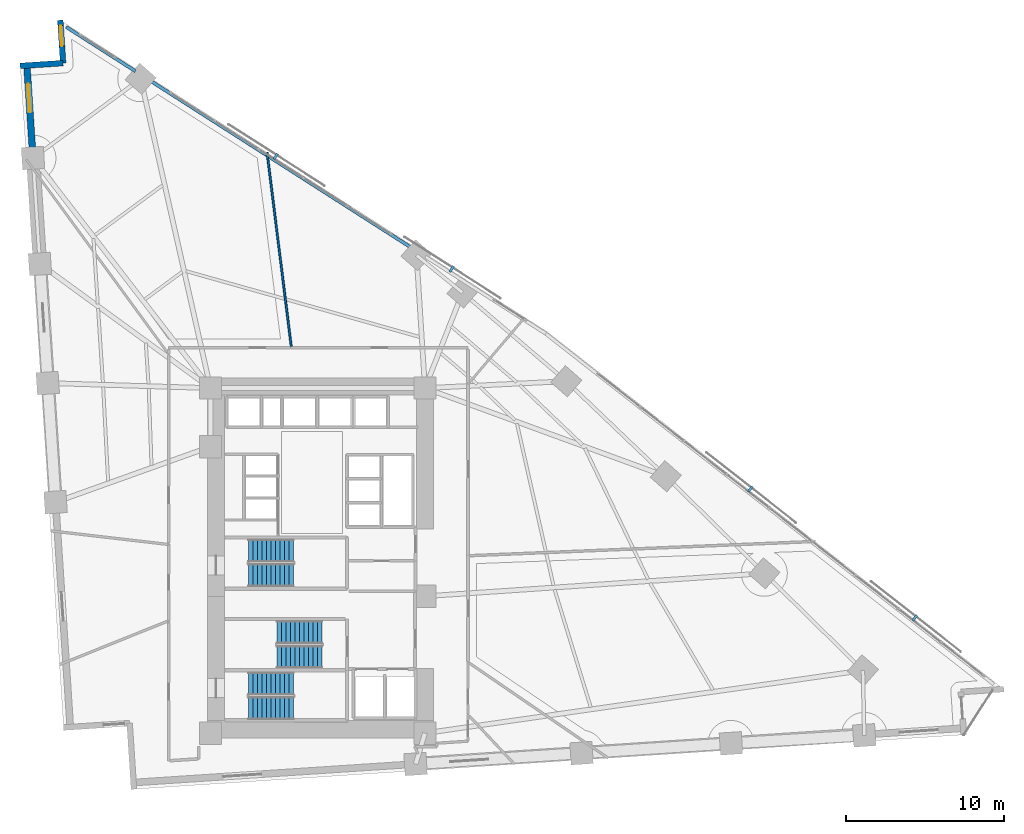
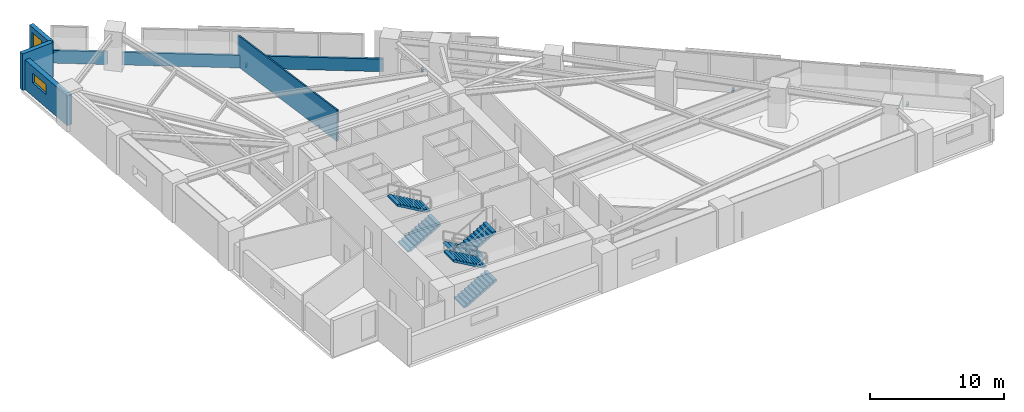
# One storey, part 14 of 16: 6 stair flights, 6 walls, 4 discrete accessories, 2 windows, 2 openings, 3 elements without a shape of their own.
"""IFC4 building model written with IfcOpenShell, lengths in metres."""

from ifc_helpers import new_model, si_unit, direction, frame, frame_2d, origin, origin_2d, place, context, subcontext, project, spatial, polyline, rectangle, outline, extrude, material, layer, layer_set, type_object, element, fill, aggregate, save


model = new_model("IFC4")

# Units and contexts
model_context = context("Model", 3, precision=1e-05, world=origin(), true_north=direction((0.0, 1.0)))
body_context = subcontext(model_context, "Body", "Model", "MODEL_VIEW")
ifc_project = project(units=[si_unit("LENGTHUNIT", "METRE"), si_unit("AREAUNIT", "SQUARE_METRE"), si_unit("VOLUMEUNIT", "CUBIC_METRE"), si_unit("PLANEANGLEUNIT", "RADIAN"), si_unit("MASSUNIT", "GRAM", prefix="KILO")], contexts=[model_context])

# Site, building, storey
site_placement = place(None, origin())
site = spatial("IfcSite", under=ifc_project, at=site_placement, CompositionType="ELEMENT")
building_placement = place(site_placement, origin())
building = spatial("IfcBuilding", under=site, at=building_placement, Name="Narakoshi Arena Tower", CompositionType="ELEMENT")
storey_placement = place(building_placement, frame((0.0, 0.0, 81.300048828125)))
storey = spatial("IfcBuildingStorey", under=building, at=storey_placement, Name="L21", CompositionType="ELEMENT", Elevation=81.300048828125)

# Walls
ifc_material_1 = material(Name="Precast concrete C45/55", Category="concrete")
ifc_layer_1 = layer(ifc_material_1, 0.25)
ifc_layer_set_1 = layer_set([ifc_layer_1], Name="Precast concrete C45/55")
wall_type_1 = type_object("IfcWallType", Name="WL-PARA-250", PredefinedType="PARAPET", material=ifc_layer_set_1)
wall_1_placement = place(storey_placement, frame((84.681640625, 65.372314453125, 0.0), z_axis=(0.0, 0.0, 1.0), x_axis=(-0.842418773655, 0.538823356763, 0.0)))
element("IfcWall", 1, at=wall_1_placement, inside=storey, type_object=wall_type_1, Name="L21 Hypotenuse Sill Upstand Parapet 2-02", PredefinedType="PARAPET", context=body_context, shape_type="SweptSolid", body=[
    extrude(rectangle(XDim=19.612060546875, YDim=0.199951171875, at=frame_2d((9.80615234375, 0.0))), origin(), (0.0, 0.0, 1.0), 1.14990234375),
])
wall_2_placement = place(storey_placement, frame((67.2568359375, 76.517578125, 0.0), z_axis=(0.0, 0.0, 1.0), x_axis=(-0.842403631411, 0.538847030042, 0.0)))
element("IfcWall", 2, at=wall_2_placement, inside=storey, type_object=wall_type_1, Name="L21 Hypotenuse Sill Upstand Parapet 2-03", PredefinedType="PARAPET", context=body_context, shape_type="SweptSolid", body=[
    extrude(rectangle(XDim=5.1962890625, YDim=0.199951171875, at=frame_2d((2.59814453125, 0.0))), origin(), (0.0, 0.0, 1.0), 1.14990234375),
])
ifc_material_2 = material(Name="Gypsum plasterboard fire-rated partition")
ifc_layer_2 = layer(ifc_material_2, 0.125)
ifc_layer_set_2 = layer_set([ifc_layer_2], Name="Gypsum plasterboard fire-rated partition")
wall_type_2 = type_object("IfcWallType", Name="WL-PART-125", PredefinedType="PARTITIONING", material=ifc_layer_set_2)
wall_3_placement = place(storey_placement, frame((77.10205078125, 59.136962890625, 0.0), z_axis=(0.0, 0.0, 1.0), x_axis=(-0.123793775733, 0.992307966858, 0.0)))
element("IfcWall", 3, at=wall_3_placement, inside=storey, type_object=wall_type_2, Name="L21 Inter-Room Partition 07-08", PredefinedType="PARTITIONING", context=body_context, shape_type="SweptSolid", body=[
    extrude(rectangle(XDim=12.345703125, YDim=0.125, at=frame_2d((6.1728515625, 0.0))), origin(), (0.0, 0.0, 1.0), 2.875),
])

# Wall, opening, window
ifc_layer_3 = layer(ifc_material_1, 0.419921875)
ifc_layer_set_3 = layer_set([ifc_layer_3], Name="Precast concrete C45/55")
wall_type_3 = type_object("IfcWallType", Name="WL-POD-420", PredefinedType="SOLIDWALL", material=ifc_layer_set_3)
wall_4_placement = place(storey_placement, frame((60.40185546875, 76.8828125, 0.0), z_axis=(0.0, 0.0, 1.0), x_axis=(0.065402662459, -0.997858953832, 0.0)))
wall_4 = element("IfcWall", 4, at=wall_4_placement, inside=storey, type_object=wall_type_3, Name="L21 Architectural Concrete Facade Wall LEGB-1", PredefinedType="SOLIDWALL", context=body_context, shape_type="SweptSolid", body=[
    extrude(rectangle(XDim=5.8642578125, YDim=0.419921875, at=frame_2d((2.93212890625, 0.0))), origin(), (0.0, 0.0, 1.0), 2.724853515625),
])
opening_1_placement = place(wall_4_placement, frame((1.1708984375, 0.0, 1.199951171875)))
opening_1 = element("IfcOpeningElement", 5, at=opening_1_placement, cuts=wall_4, Name="Opening WN-02", PredefinedType="OPENING", context=body_context, shape_type="SweptSolid", body=[
    extrude(rectangle(XDim=1.800048828125, YDim=0.89990234375, at=frame_2d((0.89990234375, 0.449951171875))), frame((0.0, 0.219970703125, 0.0), z_axis=(0.0, -1.0, 0.0), x_axis=(1.0, 0.0, 0.0)), (0.0, 0.0, 1.0), 0.43994140625),
])
ifc_material_3 = material(Name="Bronze-tinted low-E laminated glass", Category="glass")
window_type_1 = type_object("IfcWindowType", Name="WIN-SLT-18x09", PartitioningType="SINGLE_PANEL", PredefinedType="WINDOW", material=ifc_material_3)
window_1_placement = place(opening_1_placement, origin())
window_1 = element("IfcWindow", 6, at=window_1_placement, inside=storey, type_object=window_type_1, Name="L21 LEGB1 Horizontal Slot Window 1", OverallHeight=0.89990234375, OverallWidth=1.800048828125, PartitioningType="SINGLE_PANEL", PredefinedType="WINDOW", context=body_context, shape_type="SweptSolid", body=[
    extrude(rectangle(XDim=1.800048828125, YDim=0.89990234375, at=frame_2d((0.89990234375, 0.449951171875))), frame((0.0, 0.030029296875, 0.0), z_axis=(0.0, -1.0, 0.0), x_axis=(1.0, 0.0, 0.0)), (0.0, 0.0, 1.0), 0.06005859375),
])
fill(opening_1, window_1)

wall_5_placement = place(storey_placement, frame((62.5107421875, 79.743408203125, 0.0), z_axis=(0.0, 0.0, 1.0), x_axis=(0.065337885661, -0.997863197386, 0.0)))
wall_5 = element("IfcWall", 7, at=wall_5_placement, inside=storey, type_object=wall_type_3, Name="L21 Re-Entrant Corner Notch Wall NTN-1", PredefinedType="SOLIDWALL", context=body_context, shape_type="SweptSolid", body=[
    extrude(rectangle(XDim=2.716552734375, YDim=0.360107421875, at=frame_2d((1.3583984375, 0.0))), origin(), (0.0, 0.0, 1.0), 3.33984375),
])
opening_2_placement = place(wall_5_placement, frame((0.340087890625, 0.0, 0.449951171875)))
opening_2 = element("IfcOpeningElement", 8, at=opening_2_placement, cuts=wall_5, Name="Opening WN-06", PredefinedType="OPENING", context=body_context, shape_type="SweptSolid", body=[
    extrude(rectangle(XDim=1.300048828125, YDim=2.39990234375, at=frame_2d((0.64990234375, 1.199951171875))), frame((0.0, 0.18994140625, 0.0), z_axis=(0.0, -1.0, 0.0), x_axis=(1.0, 0.0, 0.0)), (0.0, 0.0, 1.0), 0.380126953125),
])
window_type_2 = type_object("IfcWindowType", Name="WIN-NTC-16x24", PartitioningType="SINGLE_PANEL", PredefinedType="WINDOW", material=ifc_material_3)
window_2_placement = place(opening_2_placement, origin())
window_2 = element("IfcWindow", 9, at=window_2_placement, inside=storey, type_object=window_type_2, Name="L21 Corner Notch Window NTN", OverallHeight=2.39990234375, OverallWidth=1.300048828125, PartitioningType="SINGLE_PANEL", PredefinedType="WINDOW", context=body_context, shape_type="SweptSolid", body=[
    extrude(rectangle(XDim=1.300048828125, YDim=2.39990234375, at=frame_2d((0.64990234375, 1.199951171875))), frame((0.0, 0.030029296875, 0.0), z_axis=(0.0, -1.0, 0.0), x_axis=(1.0, 0.0, 0.0)), (0.0, 0.0, 1.0), 0.06005859375),
])
fill(opening_2, window_2)

# Wall
wall_6_placement = place(storey_placement, frame((62.688232421875, 77.03271484375, 0.0), z_axis=(0.0, 0.0, 1.0), x_axis=(-0.99785694905, -0.065433242561, 0.0)))
element("IfcWall", 10, at=wall_6_placement, inside=storey, type_object=wall_type_3, Name="L21 Re-Entrant Corner Notch Wall NTN-2", PredefinedType="SOLIDWALL", context=body_context, shape_type="SweptSolid", body=[
    extrude(rectangle(XDim=2.71630859375, YDim=0.360107421875, at=frame_2d((1.358154296875, 0.0))), origin(), (0.0, 0.0, 1.0), 3.33984375),
])

# Stair, stair flights
ifc_material_4 = material(Name="Concrete C45/55", Category="concrete")
stair_type = type_object("IfcStairType", Name="STR-CORE-360", PredefinedType="TWO_STRAIGHT_RUN_STAIR", material=ifc_material_4)
stair_1_placement = place(storey_placement, origin())
stair_1 = element("IfcStair", 11, at=stair_1_placement, inside=storey, type_object=stair_type, Name="L21 Core Escape Stair ST1", PredefinedType="TWO_STRAIGHT_RUN_STAIR")
stair_flight_type = type_object("IfcStairFlightType", Name="FLT-145-160", PredefinedType="STRAIGHT", material=ifc_material_1)
stair_flight_1_placement = place(storey_placement, frame((74.39990234375, 36.27490234375, 0.0), z_axis=(0.0, 0.0, 1.0), x_axis=(1.0, 0.0, 0.0)))
stair_flight_1 = element("IfcStairFlight", 12, at=stair_flight_1_placement, type_object=stair_flight_type, Name="ST1 flight 1", NumberOfRisers=11, NumberOfTreads=10, PredefinedType="STRAIGHT", RiserHeight=0.163636364, TreadLength=0.285, context=body_context, shape_type="SweptSolid", body=[
    extrude(outline(polyline([(0.0, 0.0), (0.0, 0.16357421875), (0.284912109375, 0.16357421875), (0.284912109375, 0.327392578125), (0.570068359375, 0.327392578125), (0.570068359375, 0.490966796875), (0.85498046875, 0.490966796875), (0.85498046875, 0.654541015625), (1.139892578125, 0.654541015625), (1.139892578125, 0.818115234375), (1.425048828125, 0.818115234375), (1.425048828125, 0.98193359375), (1.7099609375, 0.98193359375), (1.7099609375, 1.1455078125), (1.9951171875, 1.1455078125), (1.9951171875, 1.30908203125), (2.280029296875, 1.30908203125), (2.280029296875, 1.47265625), (2.56494140625, 1.47265625), (2.56494140625, 1.636474609375), (2.85009765625, 1.636474609375), (2.85009765625, 1.800048828125), (2.85009765625, 1.463623046875), (0.301025390625, 0.0), (0.0, 0.0)])), frame((0.0, 0.72509765625, 0.0), z_axis=(0.0, -1.0, 0.0), x_axis=(1.0, 0.0, 0.0)), (0.0, 0.0, 1.0), 1.449951171875),
])
stair_flight_2_placement = place(storey_placement, frame((77.25, 37.824951171875, 1.800048828125), z_axis=(0.0, 0.0, 1.0), x_axis=(-1.0, 0.0, 0.0)))
stair_flight_2 = element("IfcStairFlight", 13, at=stair_flight_2_placement, type_object=stair_flight_type, Name="ST1 flight 2", NumberOfRisers=11, NumberOfTreads=10, PredefinedType="STRAIGHT", RiserHeight=0.163636364, TreadLength=0.285, context=body_context, shape_type="SweptSolid", body=[
    extrude(outline(polyline([(0.0, 0.0), (0.0, 0.16357421875), (0.284912109375, 0.16357421875), (0.284912109375, 0.327392578125), (0.570068359375, 0.327392578125), (0.570068359375, 0.490966796875), (0.85498046875, 0.490966796875), (0.85498046875, 0.654541015625), (1.139892578125, 0.654541015625), (1.139892578125, 0.818115234375), (1.425048828125, 0.818115234375), (1.425048828125, 0.98193359375), (1.7099609375, 0.98193359375), (1.7099609375, 1.1455078125), (1.9951171875, 1.1455078125), (1.9951171875, 1.30908203125), (2.280029296875, 1.30908203125), (2.280029296875, 1.47265625), (2.56494140625, 1.47265625), (2.56494140625, 1.636474609375), (2.85009765625, 1.636474609375), (2.85009765625, 1.800048828125), (2.85009765625, 1.463623046875), (0.301025390625, 0.0), (0.0, 0.0)])), frame((0.0, 0.72509765625, 0.0), z_axis=(0.0, -1.0, 0.0), x_axis=(1.0, 0.0, 0.0)), (0.0, 0.0, 1.0), 1.449951171875),
])
aggregate(stair_1, [stair_flight_1, stair_flight_2])

stair_2_placement = place(storey_placement, origin())
stair_2 = element("IfcStair", 14, at=stair_2_placement, inside=storey, type_object=stair_type, Name="L21 Core Escape Stair ST2", PredefinedType="TWO_STRAIGHT_RUN_STAIR")
stair_flight_3_placement = place(storey_placement, frame((79.050048828125, 41.074951171875, 0.0), z_axis=(0.0, 0.0, 1.0), x_axis=(-1.0, 0.0, 0.0)))
stair_flight_3 = element("IfcStairFlight", 15, at=stair_flight_3_placement, type_object=stair_flight_type, Name="ST2 flight 1", NumberOfRisers=11, NumberOfTreads=10, PredefinedType="STRAIGHT", RiserHeight=0.163636364, TreadLength=0.285, context=body_context, shape_type="SweptSolid", body=[
    extrude(outline(polyline([(0.0, 0.0), (0.0, 0.16357421875), (0.284912109375, 0.16357421875), (0.284912109375, 0.327392578125), (0.570068359375, 0.327392578125), (0.570068359375, 0.490966796875), (0.85498046875, 0.490966796875), (0.85498046875, 0.654541015625), (1.139892578125, 0.654541015625), (1.139892578125, 0.818115234375), (1.425048828125, 0.818115234375), (1.425048828125, 0.98193359375), (1.7099609375, 0.98193359375), (1.7099609375, 1.1455078125), (1.9951171875, 1.1455078125), (1.9951171875, 1.30908203125), (2.280029296875, 1.30908203125), (2.280029296875, 1.47265625), (2.56494140625, 1.47265625), (2.56494140625, 1.636474609375), (2.85009765625, 1.636474609375), (2.85009765625, 1.800048828125), (2.85009765625, 1.463623046875), (0.301025390625, 0.0), (0.0, 0.0)])), frame((0.0, 0.72509765625, 0.0), z_axis=(0.0, -1.0, 0.0), x_axis=(1.0, 0.0, 0.0)), (0.0, 0.0, 1.0), 1.449951171875),
])
stair_flight_4_placement = place(storey_placement, frame((76.199951171875, 39.52490234375, 1.800048828125), z_axis=(0.0, 0.0, 1.0), x_axis=(1.0, 0.0, 0.0)))
stair_flight_4 = element("IfcStairFlight", 16, at=stair_flight_4_placement, type_object=stair_flight_type, Name="ST2 flight 2", NumberOfRisers=11, NumberOfTreads=10, PredefinedType="STRAIGHT", RiserHeight=0.163636364, TreadLength=0.285, context=body_context, shape_type="SweptSolid", body=[
    extrude(outline(polyline([(0.0, 0.0), (0.0, 0.16357421875), (0.284912109375, 0.16357421875), (0.284912109375, 0.327392578125), (0.570068359375, 0.327392578125), (0.570068359375, 0.490966796875), (0.85498046875, 0.490966796875), (0.85498046875, 0.654541015625), (1.139892578125, 0.654541015625), (1.139892578125, 0.818115234375), (1.425048828125, 0.818115234375), (1.425048828125, 0.98193359375), (1.7099609375, 0.98193359375), (1.7099609375, 1.1455078125), (1.9951171875, 1.1455078125), (1.9951171875, 1.30908203125), (2.280029296875, 1.30908203125), (2.280029296875, 1.47265625), (2.56494140625, 1.47265625), (2.56494140625, 1.636474609375), (2.85009765625, 1.636474609375), (2.85009765625, 1.800048828125), (2.85009765625, 1.463623046875), (0.301025390625, 0.0), (0.0, 0.0)])), frame((0.0, 0.72509765625, 0.0), z_axis=(0.0, -1.0, 0.0), x_axis=(1.0, 0.0, 0.0)), (0.0, 0.0, 1.0), 1.449951171875),
])
aggregate(stair_2, [stair_flight_3, stair_flight_4])

stair_3_placement = place(storey_placement, origin())
stair_3 = element("IfcStair", 17, at=stair_3_placement, inside=storey, type_object=stair_type, Name="L21 Core Escape Stair ST3", PredefinedType="TWO_STRAIGHT_RUN_STAIR")
stair_flight_5_placement = place(storey_placement, frame((74.39990234375, 44.675048828125, 0.0), z_axis=(0.0, 0.0, 1.0), x_axis=(1.0, 0.0, 0.0)))
stair_flight_5 = element("IfcStairFlight", 18, at=stair_flight_5_placement, type_object=stair_flight_type, Name="ST3 flight 1", NumberOfRisers=11, NumberOfTreads=10, PredefinedType="STRAIGHT", RiserHeight=0.163636364, TreadLength=0.285, context=body_context, shape_type="SweptSolid", body=[
    extrude(outline(polyline([(0.0, 0.0), (0.0, 0.16357421875), (0.284912109375, 0.16357421875), (0.284912109375, 0.327392578125), (0.570068359375, 0.327392578125), (0.570068359375, 0.490966796875), (0.85498046875, 0.490966796875), (0.85498046875, 0.654541015625), (1.139892578125, 0.654541015625), (1.139892578125, 0.818115234375), (1.425048828125, 0.818115234375), (1.425048828125, 0.98193359375), (1.7099609375, 0.98193359375), (1.7099609375, 1.1455078125), (1.9951171875, 1.1455078125), (1.9951171875, 1.30908203125), (2.280029296875, 1.30908203125), (2.280029296875, 1.47265625), (2.56494140625, 1.47265625), (2.56494140625, 1.636474609375), (2.85009765625, 1.636474609375), (2.85009765625, 1.800048828125), (2.85009765625, 1.463623046875), (0.301025390625, 0.0), (0.0, 0.0)])), frame((0.0, 0.72509765625, 0.0), z_axis=(0.0, -1.0, 0.0), x_axis=(1.0, 0.0, 0.0)), (0.0, 0.0, 1.0), 1.449951171875),
])
stair_flight_6_placement = place(storey_placement, frame((77.25, 46.22509765625, 1.800048828125), z_axis=(0.0, 0.0, 1.0), x_axis=(-1.0, 0.0, 0.0)))
stair_flight_6 = element("IfcStairFlight", 19, at=stair_flight_6_placement, type_object=stair_flight_type, Name="ST3 flight 2", NumberOfRisers=11, NumberOfTreads=10, PredefinedType="STRAIGHT", RiserHeight=0.163636364, TreadLength=0.285, context=body_context, shape_type="SweptSolid", body=[
    extrude(outline(polyline([(0.0, 0.0), (0.0, 0.16357421875), (0.284912109375, 0.16357421875), (0.284912109375, 0.327392578125), (0.570068359375, 0.327392578125), (0.570068359375, 0.490966796875), (0.85498046875, 0.490966796875), (0.85498046875, 0.654541015625), (1.139892578125, 0.654541015625), (1.139892578125, 0.818115234375), (1.425048828125, 0.818115234375), (1.425048828125, 0.98193359375), (1.7099609375, 0.98193359375), (1.7099609375, 1.1455078125), (1.9951171875, 1.1455078125), (1.9951171875, 1.30908203125), (2.280029296875, 1.30908203125), (2.280029296875, 1.47265625), (2.56494140625, 1.47265625), (2.56494140625, 1.636474609375), (2.85009765625, 1.636474609375), (2.85009765625, 1.800048828125), (2.85009765625, 1.463623046875), (0.301025390625, 0.0), (0.0, 0.0)])), frame((0.0, 0.72509765625, 0.0), z_axis=(0.0, -1.0, 0.0), x_axis=(1.0, 0.0, 0.0)), (0.0, 0.0, 1.0), 1.449951171875),
])
aggregate(stair_3, [stair_flight_5, stair_flight_6])

# Discrete accessories
ifc_material_5 = material(Name="Structural steel S355J2", Category="steel")
discrete_accessory_type = type_object("IfcDiscreteAccessoryType", Name="ACC-BRK-SCR", PredefinedType="BRACKET", material=ifc_material_5)
for number, where, z_axis, x_axis, name in (
    (20, (116.497314453125, 41.984375, -0.080078125), (0.0, 0.0, 1.0), (-0.787387121413, 0.616458855912, 0.0), "L21 Solar Screen Support Bracket SHD-L21-SCR1-1"),
    (21, (106.103759765625, 50.12158203125, -0.080078125), (0.0, 0.0, 1.0), (-0.787387121413, 0.616458855912, 0.0), "L21 Solar Screen Support Bracket SHD-L21-SCR1-2"),
    (22, (87.239990234375, 64.020751953125, -0.080078125), (0.0, 0.0, 1.0), (-0.842414781658, 0.538829597966, 0.0), "L21 Solar Screen Support Bracket SHD-L21-SCR2-1"),
    (23, (76.1201171875, 71.13330078125, -0.080078125), (0.0, 0.0, 1.0), (-0.842414781658, 0.538829597966, 0.0), "L21 Solar Screen Support Bracket SHD-L21-SCR2-2"),
):
    element("IfcDiscreteAccessory", number, at=place(storey_placement, frame(where, z_axis=z_axis, x_axis=x_axis)), inside=storey, type_object=discrete_accessory_type, Name=name, PredefinedType="BRACKET", context=body_context, shape_type="SweptSolid", body=[
        extrude(rectangle(XDim=0.159912109375, YDim=0.425048828125, at=origin_2d()), origin(), (0.0, 0.0, 1.0), 0.199951171875),
    ])

save(model, "model.ifc")
